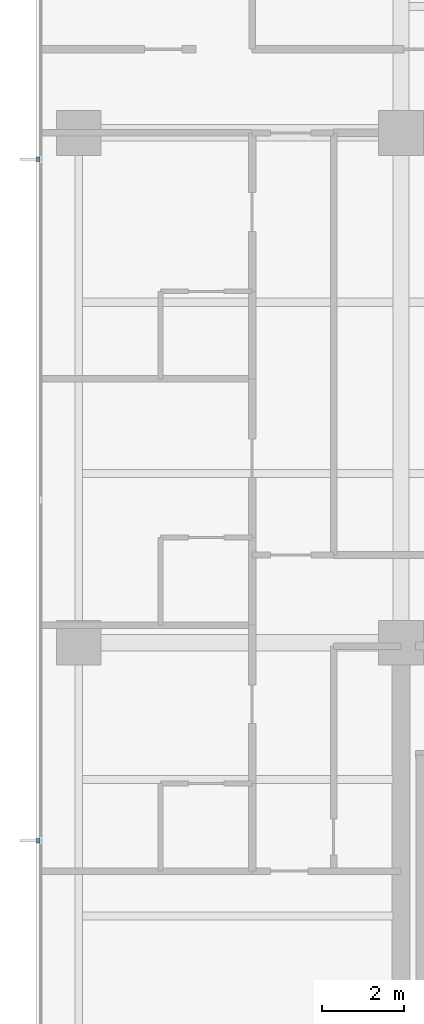
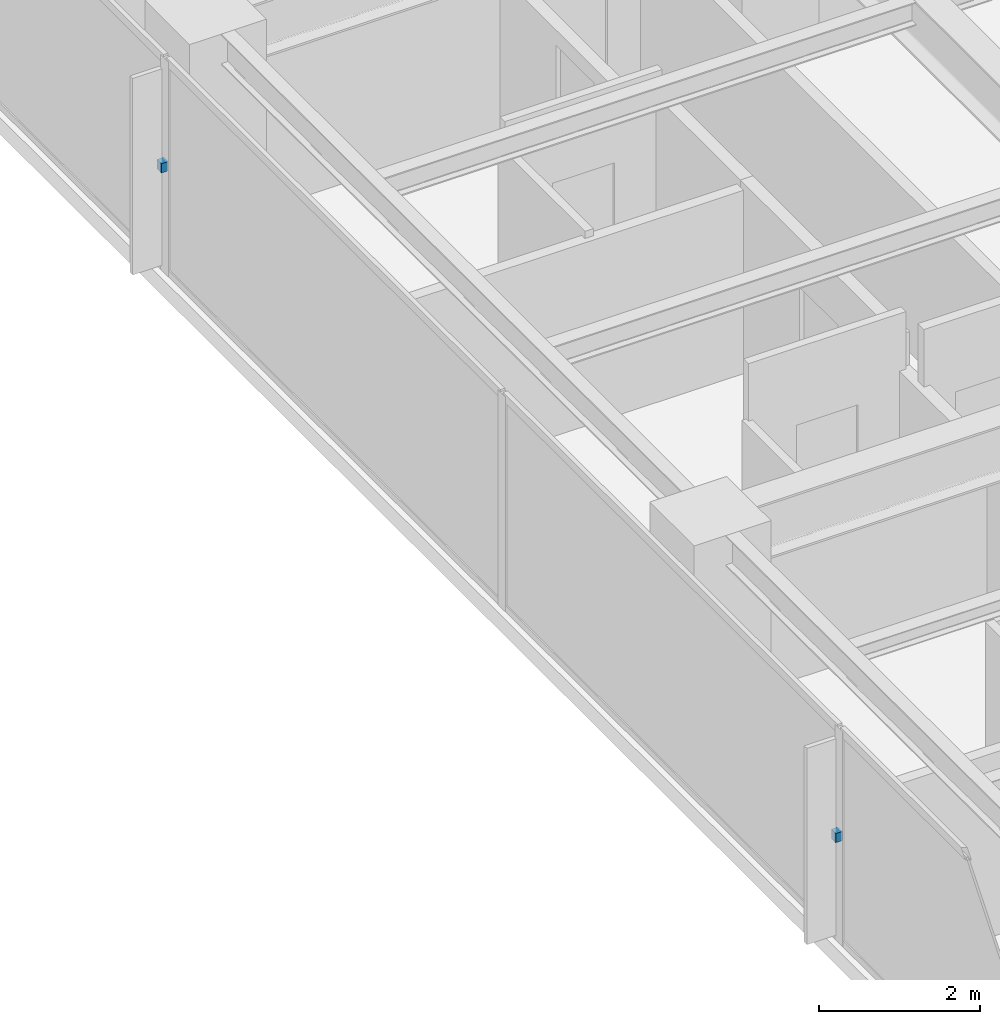
# One storey, part 11 of 14: 2 discrete accessories.
"""IFC4 building model written with IfcOpenShell, lengths in metres."""

from ifc_helpers import new_model, si_unit, direction, frame, origin, place, context, subcontext, project, spatial, polyline, outline, extrude, material, type_object, element, save


model = new_model("IFC4")

# Units and contexts
model_context = context("Model", 3, precision=1e-05, world=origin(), true_north=direction((0.0, 1.0)))
body_context = subcontext(model_context, "Body", "Model", "MODEL_VIEW")
ifc_project = project(units=[si_unit("LENGTHUNIT", "METRE"), si_unit("AREAUNIT", "SQUARE_METRE"), si_unit("VOLUMEUNIT", "CUBIC_METRE"), si_unit("PLANEANGLEUNIT", "RADIAN"), si_unit("MASSUNIT", "GRAM", prefix="KILO")], contexts=[model_context])

# Site, building, storey
site_placement = place(None, origin())
site = spatial("IfcSite", under=ifc_project, at=site_placement, CompositionType="ELEMENT")
building_placement = place(site_placement, origin())
building = spatial("IfcBuilding", under=site, at=building_placement, Name="Qalmaran Belvedere Hotel", CompositionType="ELEMENT")
storey_placement = place(building_placement, frame((0.0, 0.0, 152.60009765625)))
storey = spatial("IfcBuildingStorey", under=building, at=storey_placement, Name="L38", CompositionType="ELEMENT", Elevation=152.60009765625)

# Discrete accessories
ifc_material = material(Name="Stainless Steel 1.4401", Category="steel")
discrete_accessory_type = type_object("IfcDiscreteAccessoryType", Name="BRK-FIN-SS316", PredefinedType="BRACKET", material=ifc_material)
discrete_accessory_1_placement = place(storey_placement, frame((0.0, 0.0, 1.574951171875)))
element("IfcDiscreteAccessory", 1, at=discrete_accessory_1_placement, inside=storey, type_object=discrete_accessory_type, Name="L38 Fin Bracket 1", PredefinedType="BRACKET", context=body_context, shape_type="SweptSolid", body=[
    extrude(outline(polyline([(11.455078125, 32.405029296875), (11.360107421875, 32.405029296875), (11.360107421875, 32.294921875), (11.455078125, 32.294921875), (11.455078125, 32.405029296875)])), origin(), (0.0, 0.0, 1.0), 0.139892578125),
])
discrete_accessory_2_placement = place(storey_placement, frame((0.0, 0.0, 1.574951171875)))
element("IfcDiscreteAccessory", 2, at=discrete_accessory_2_placement, inside=storey, type_object=discrete_accessory_type, Name="L38 Fin Bracket 3", PredefinedType="BRACKET", context=body_context, shape_type="SweptSolid", body=[
    extrude(outline(polyline([(11.455078125, 15.705078125), (11.360107421875, 15.705078125), (11.360107421875, 15.594970703125), (11.455078125, 15.594970703125), (11.455078125, 15.705078125)])), origin(), (0.0, 0.0, 1.0), 0.139892578125),
])

save(model, "model.ifc")
